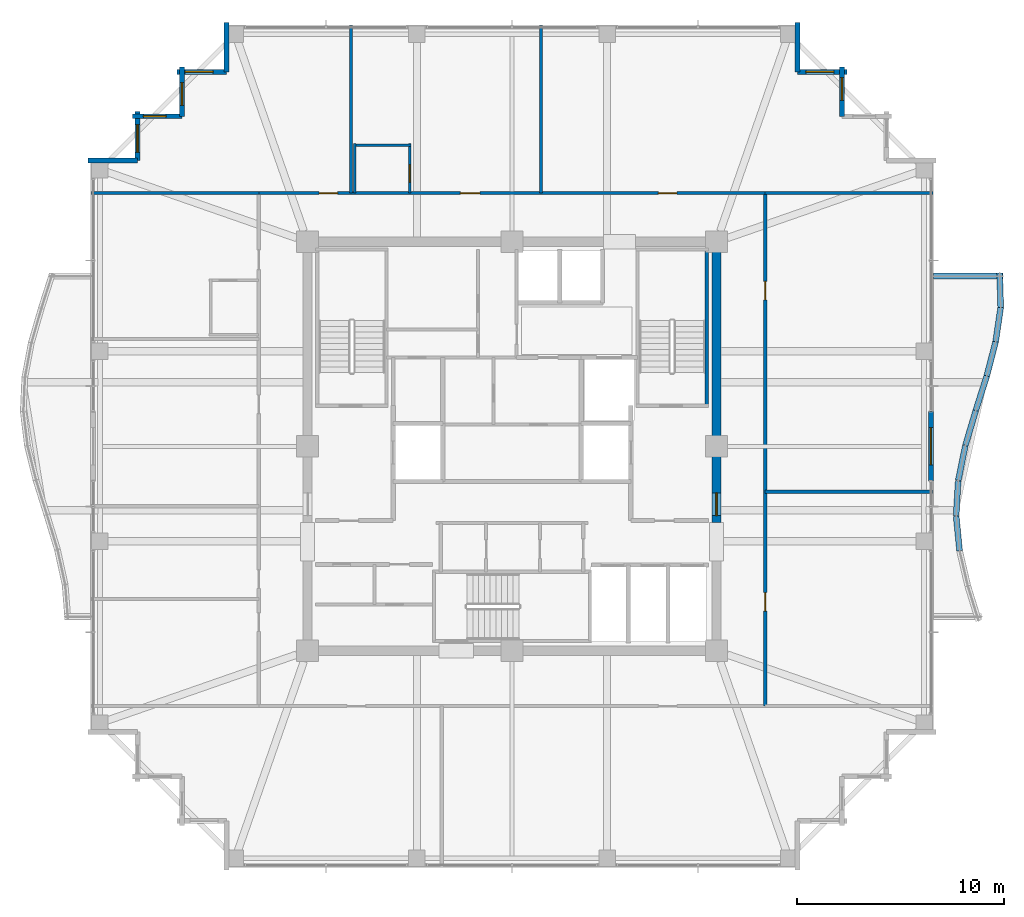
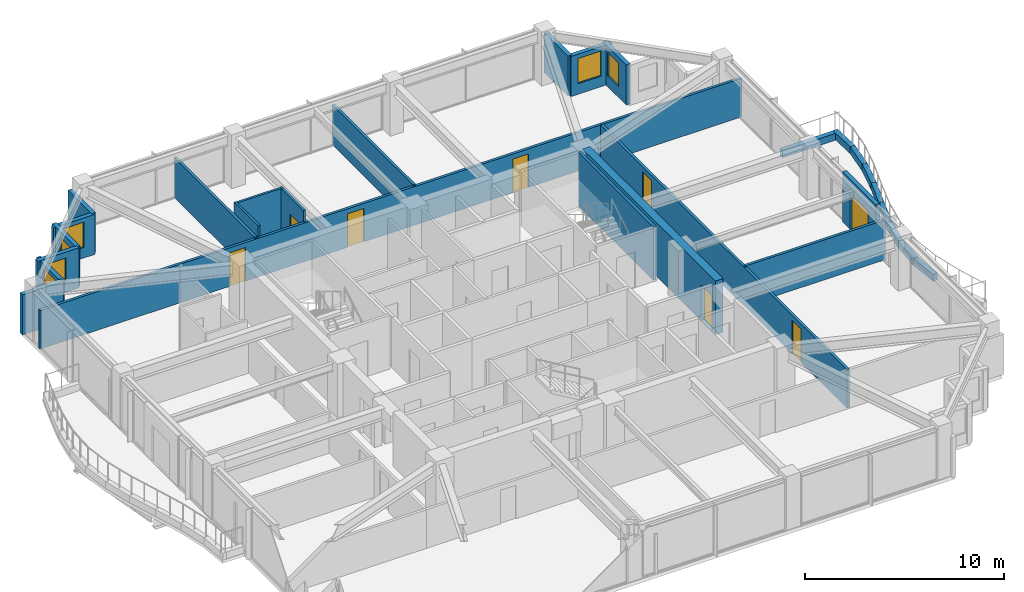
# One storey, part 31 of 34: 31 walls, 8 doors, 6 windows, 14 openings.
"""IFC4 building model written with IfcOpenShell, lengths in metres."""

from ifc_helpers import new_model, si_unit, direction, frame, frame_2d, origin, place, context, subcontext, project, spatial, rectangle, extrude, material, layer, layer_set, type_object, element, fill, save


model = new_model("IFC4")

# Units and contexts
model_context = context("Model", 3, precision=1e-05, world=origin(), true_north=direction((0.0, 1.0)))
body_context = subcontext(model_context, "Body", "Model", "MODEL_VIEW")
ifc_project = project(units=[si_unit("LENGTHUNIT", "METRE"), si_unit("AREAUNIT", "SQUARE_METRE"), si_unit("VOLUMEUNIT", "CUBIC_METRE"), si_unit("PLANEANGLEUNIT", "RADIAN"), si_unit("MASSUNIT", "GRAM", prefix="KILO")], contexts=[model_context])

# Site, building, storey
site_placement = place(None, origin())
site = spatial("IfcSite", under=ifc_project, at=site_placement, CompositionType="ELEMENT")
building_placement = place(site_placement, origin())
building = spatial("IfcBuilding", under=site, at=building_placement, Name="Kolvaren Belvedere", CompositionType="ELEMENT")
storey_placement = place(building_placement, frame((0.0, 0.0, 222.89990234375)))
storey = spatial("IfcBuildingStorey", under=building, at=storey_placement, Name="L65", CompositionType="ELEMENT", Elevation=222.89990234375)

# Wall, opening, door
ifc_material_1 = material(Name="Concrete C50/60", Category="concrete")
ifc_layer_1 = layer(ifc_material_1, 0.449951171875)
ifc_layer_set_1 = layer_set([ifc_layer_1], Name="Concrete C50/60")
wall_type_1 = type_object("IfcWallType", Name="CW-CORE-450", PredefinedType="SHEAR", material=ifc_layer_set_1)
wall_1_placement = place(storey_placement, frame((9.89990234375, -3.699951171875, 0.0), z_axis=(0.0, 0.0, 1.0), x_axis=(0.0, 1.0, 0.0)))
wall_1 = element("IfcWall", 1, at=wall_1_placement, inside=storey, type_object=wall_type_1, Name="L65 East Core Shear Wall 2", PredefinedType="SHEAR", context=body_context, shape_type="SweptSolid", body=[
    extrude(rectangle(XDim=13.375, YDim=0.449951171875, at=frame_2d((6.6875, 0.0))), origin(), (0.0, 0.0, 1.0), 3.300048828125),
])
opening_1_placement = place(wall_1_placement, frame((0.35009765625, 0.0, 0.0)))
opening_1 = element("IfcOpeningElement", 2, at=opening_1_placement, cuts=wall_1, Name="Opening D-FD90", PredefinedType="OPENING", context=body_context, shape_type="SweptSolid", body=[
    extrude(rectangle(XDim=1.10009765625, YDim=2.199951171875, at=frame_2d((0.550048828125, 1.10009765625))), frame((0.0, 0.23486328125, 0.0), z_axis=(0.0, -1.0, 0.0), x_axis=(1.0, 0.0, 0.0)), (0.0, 0.0, 1.0), 0.469970703125),
])
ifc_material_2 = material(Name="Painted hollow stainless steel", Category="steel")
door_type_1 = type_object("IfcDoorType", Name="DR-FD90-1100", OperationType="NOTDEFINED", PredefinedType="DOOR", material=ifc_material_2)
door_1_placement = place(opening_1_placement, origin())
door_1 = element("IfcDoor", 3, at=door_1_placement, inside=storey, type_object=door_type_1, Name="L65 East Firefighting Lobby Fire Door", OperationType="SINGLE_SWING_RIGHT", OverallHeight=2.199951171875, OverallWidth=1.10009765625, PredefinedType="DOOR", context=body_context, shape_type="SweptSolid", body=[
    extrude(rectangle(XDim=1.10009765625, YDim=2.199951171875, at=frame_2d((0.550048828125, 1.10009765625))), frame((0.0, 0.02490234375, 0.0), z_axis=(0.0, -1.0, 0.0), x_axis=(1.0, 0.0, 0.0)), (0.0, 0.0, 1.0), 0.050048828125),
])
fill(opening_1, door_1)

# Wall
ifc_material_3 = material(Name="Concrete C50/60", Category="concrete")
ifc_layer_2 = layer(ifc_material_3, 0.159912109375)
ifc_layer_set_2 = layer_set([ifc_layer_2], Name="Concrete C50/60")
wall_type_2 = type_object("IfcWallType", Name="CW-STAIR-160", PredefinedType="SHEAR", material=ifc_layer_set_2)
wall_2_placement = place(storey_placement, frame((9.429931640625, 1.969970703125, 0.0), z_axis=(0.0, 0.0, 1.0), x_axis=(0.0, 1.0, 0.0)))
element("IfcWall", 4, at=wall_2_placement, inside=storey, type_object=wall_type_2, Name="L65 Stair ST-2 East Shear Wall", PredefinedType="SHEAR", context=body_context, shape_type="SweptSolid", body=[
    extrude(rectangle(XDim=7.56005859375, YDim=0.159912109375, at=frame_2d((3.780029296875, 0.0))), origin(), (0.0, 0.0, 1.0), 3.300048828125),
])

# Wall, openings, doors
ifc_material_4 = material(Name="Gypsum fire-rated partition assembly", Category="gypsum")
ifc_layer_3 = layer(ifc_material_4, 0.14990234375)
ifc_layer_set_3 = layer_set([ifc_layer_3], Name="Gypsum fire-rated partition assembly")
wall_type_3 = type_object("IfcWallType", Name="WL-CORR-150", PredefinedType="PARTITIONING", material=ifc_layer_set_3)
wall_3_placement = place(storey_placement, frame((-12.260009765625, 12.260009765625, 0.0), z_axis=(0.0, 0.0, 1.0), x_axis=(1.0, 0.0, 0.0)))
wall_3 = element("IfcWall", 5, at=wall_3_placement, inside=storey, type_object=wall_type_3, Name="L65 North Corridor Wall", PredefinedType="PARTITIONING", context=body_context, shape_type="SweptSolid", body=[
    extrude(rectangle(XDim=24.52001953125, YDim=0.14990234375, at=frame_2d((12.260009765625, 0.0))), origin(), (0.0, 0.0, 1.0), 2.369140625),
])
opening_2_placement = place(wall_3_placement, frame((2.916015625, 0.0, 0.0)))
opening_2 = element("IfcOpeningElement", 6, at=opening_2_placement, cuts=wall_3, Name="Opening D-INT90", PredefinedType="OPENING", context=body_context, shape_type="SweptSolid", body=[
    extrude(rectangle(XDim=0.89990234375, YDim=2.06005859375, at=frame_2d((0.449951171875, 1.030029296875))), frame((0.0, 0.0849609375, 0.0), z_axis=(0.0, -1.0, 0.0), x_axis=(1.0, 0.0, 0.0)), (0.0, 0.0, 1.0), 0.169921875),
])
opening_3_placement = place(wall_3_placement, frame((9.7548828125, 0.0, 0.0)))
opening_3 = element("IfcOpeningElement", 7, at=opening_3_placement, cuts=wall_3, Name="Opening D-FD60", PredefinedType="OPENING", context=body_context, shape_type="SweptSolid", body=[
    extrude(rectangle(XDim=0.949951171875, YDim=2.06005859375, at=frame_2d((0.47509765625, 1.030029296875))), frame((0.0, 0.0849609375, 0.0), z_axis=(0.0, -1.0, 0.0), x_axis=(1.0, 0.0, 0.0)), (0.0, 0.0, 1.0), 0.169921875),
])
opening_4_placement = place(wall_3_placement, frame((19.344970703125, 0.0, 0.0)))
opening_4 = element("IfcOpeningElement", 8, at=opening_4_placement, cuts=wall_3, Name="Opening D-INT90", PredefinedType="OPENING", context=body_context, shape_type="SweptSolid", body=[
    extrude(rectangle(XDim=0.89990234375, YDim=2.06005859375, at=frame_2d((0.449951171875, 1.030029296875))), frame((0.0, 0.0849609375, 0.0), z_axis=(0.0, -1.0, 0.0), x_axis=(1.0, 0.0, 0.0)), (0.0, 0.0, 1.0), 0.169921875),
])
ifc_material_5 = material(Name="Acoustic white-oak fire door leaf", Category="timber")
door_type_2 = type_object("IfcDoorType", Name="DR-FD60-950", OperationType="NOTDEFINED", PredefinedType="DOOR", material=ifc_material_5)
door_2_placement = place(opening_3_placement, origin())
door_2 = element("IfcDoor", 9, at=door_2_placement, inside=storey, type_object=door_type_2, Name="L65 King Guest Room 6510 Entry Door", OperationType="SINGLE_SWING_LEFT", OverallHeight=2.06005859375, OverallWidth=0.949951171875, PredefinedType="DOOR", context=body_context, shape_type="SweptSolid", body=[
    extrude(rectangle(XDim=0.949951171875, YDim=2.06005859375, at=frame_2d((0.47509765625, 1.030029296875))), frame((0.0, 0.02490234375, 0.0), z_axis=(0.0, -1.0, 0.0), x_axis=(1.0, 0.0, 0.0)), (0.0, 0.0, 1.0), 0.050048828125),
])
fill(opening_3, door_2)
ifc_material_6 = material(Name="Stained Pacific white oak", Category="timber")
door_type_3 = type_object("IfcDoorType", Name="DR-INT-900", OperationType="NOTDEFINED", PredefinedType="DOOR", material=ifc_material_6)
door_3_placement = place(opening_2_placement, origin())
door_3 = element("IfcDoor", 10, at=door_3_placement, inside=storey, type_object=door_type_3, Name="L65 Lounge 6509 Door", OperationType="SINGLE_SWING_LEFT", OverallHeight=2.06005859375, OverallWidth=0.89990234375, PredefinedType="DOOR", context=body_context, shape_type="SweptSolid", body=[
    extrude(rectangle(XDim=0.89990234375, YDim=2.06005859375, at=frame_2d((0.449951171875, 1.030029296875))), frame((0.0, 0.02490234375, 0.0), z_axis=(0.0, -1.0, 0.0), x_axis=(1.0, 0.0, 0.0)), (0.0, 0.0, 1.0), 0.050048828125),
])
fill(opening_2, door_3)
door_4_placement = place(opening_4_placement, origin())
door_4 = element("IfcDoor", 11, at=door_4_placement, inside=storey, type_object=door_type_3, Name="L65 Lounge 6511 Door", OperationType="SINGLE_SWING_RIGHT", OverallHeight=2.06005859375, OverallWidth=0.89990234375, PredefinedType="DOOR", context=body_context, shape_type="SweptSolid", body=[
    extrude(rectangle(XDim=0.89990234375, YDim=2.06005859375, at=frame_2d((0.449951171875, 1.030029296875))), frame((0.0, 0.02490234375, 0.0), z_axis=(0.0, -1.0, 0.0), x_axis=(1.0, 0.0, 0.0)), (0.0, 0.0, 1.0), 0.050048828125),
])
fill(opening_4, door_4)

wall_4_placement = place(storey_placement, frame((12.260009765625, -12.580078125, 0.0), z_axis=(0.0, 0.0, 1.0), x_axis=(0.0, 1.0, 0.0)))
wall_4 = element("IfcWall", 12, at=wall_4_placement, inside=storey, type_object=wall_type_3, Name="L65 East Corridor Wall", PredefinedType="PARTITIONING", context=body_context, shape_type="SweptSolid", body=[
    extrude(rectangle(XDim=24.840087890625, YDim=0.14990234375, at=frame_2d((12.419921875, 0.0))), origin(), (0.0, 0.0, 1.0), 2.369140625),
])
opening_5_placement = place(wall_4_placement, frame((4.594970703125, 0.0, 0.0)))
opening_5 = element("IfcOpeningElement", 13, at=opening_5_placement, cuts=wall_4, Name="Opening D-INT90", PredefinedType="OPENING", context=body_context, shape_type="SweptSolid", body=[
    extrude(rectangle(XDim=0.89990234375, YDim=2.06005859375, at=frame_2d((0.449951171875, 1.030029296875))), frame((0.0, 0.0849609375, 0.0), z_axis=(0.0, -1.0, 0.0), x_axis=(1.0, 0.0, 0.0)), (0.0, 0.0, 1.0), 0.169921875),
])
opening_6_placement = place(wall_4_placement, frame((19.6650390625, 0.0, 0.0)))
opening_6 = element("IfcOpeningElement", 14, at=opening_6_placement, cuts=wall_4, Name="Opening D-INT90", PredefinedType="OPENING", context=body_context, shape_type="SweptSolid", body=[
    extrude(rectangle(XDim=0.89990234375, YDim=2.06005859375, at=frame_2d((0.449951171875, 1.030029296875))), frame((0.0, 0.0849609375, 0.0), z_axis=(0.0, -1.0, 0.0), x_axis=(1.0, 0.0, 0.0)), (0.0, 0.0, 1.0), 0.169921875),
])
door_5_placement = place(opening_5_placement, origin())
door_5 = element("IfcDoor", 15, at=door_5_placement, inside=storey, type_object=door_type_3, Name="L65 Guest Tea & Espresso Kitchen 6503 Door", OperationType="SINGLE_SWING_RIGHT", OverallHeight=2.06005859375, OverallWidth=0.89990234375, PredefinedType="DOOR", context=body_context, shape_type="SweptSolid", body=[
    extrude(rectangle(XDim=0.89990234375, YDim=2.06005859375, at=frame_2d((0.449951171875, 1.030029296875))), frame((0.0, 0.02490234375, 0.0), z_axis=(0.0, -1.0, 0.0), x_axis=(1.0, 0.0, 0.0)), (0.0, 0.0, 1.0), 0.050048828125),
])
fill(opening_5, door_5)
door_6_placement = place(opening_6_placement, origin())
door_6 = element("IfcDoor", 16, at=door_6_placement, inside=storey, type_object=door_type_3, Name="L65 Lounge 6504 Door", OperationType="SINGLE_SWING_LEFT", OverallHeight=2.06005859375, OverallWidth=0.89990234375, PredefinedType="DOOR", context=body_context, shape_type="SweptSolid", body=[
    extrude(rectangle(XDim=0.89990234375, YDim=2.06005859375, at=frame_2d((0.449951171875, 1.030029296875))), frame((0.0, 0.02490234375, 0.0), z_axis=(0.0, -1.0, 0.0), x_axis=(1.0, 0.0, 0.0)), (0.0, 0.0, 1.0), 0.050048828125),
])
fill(opening_6, door_6)

# Wall, opening, door
ifc_material_7 = material(Name="Insulated pale-metal facade wall assembly", Category="aluminium")
ifc_layer_4 = layer(ifc_material_7, 0.239990234375)
ifc_layer_set_4 = layer_set([ifc_layer_4], Name="Insulated pale-metal facade wall assembly")
wall_type_4 = type_object("IfcWallType", Name="WL-EXT-240", PredefinedType="STANDARD", material=ifc_layer_set_4)
wall_5_placement = place(storey_placement, frame((20.280029296875, 1.679931640625, 0.0), z_axis=(0.0, 0.0, 1.0), x_axis=(0.0, -1.0, 0.0)))
wall_5 = element("IfcWall", 17, at=wall_5_placement, inside=storey, type_object=wall_type_4, Name="L65 East Terrace Portal Wall", PredefinedType="STANDARD", context=body_context, shape_type="SweptSolid", body=[
    extrude(rectangle(XDim=3.35986328125, YDim=0.239990234375, at=frame_2d((1.679931640625, 0.0))), origin(), (0.0, 0.0, 1.0), 3.080078125),
])
opening_7_placement = place(wall_5_placement, frame((0.780029296875, 0.0, 0.0)))
opening_7 = element("IfcOpeningElement", 18, at=opening_7_placement, cuts=wall_5, Name="Opening DB-1800", PredefinedType="OPENING", context=body_context, shape_type="SweptSolid", body=[
    extrude(rectangle(XDim=1.800048828125, YDim=2.199951171875, at=frame_2d((0.89990234375, 1.10009765625))), frame((0.0, 0.1298828125, 0.0), z_axis=(0.0, -1.0, 0.0), x_axis=(1.0, 0.0, 0.0)), (0.0, 0.0, 1.0), 0.260009765625),
])
ifc_material_8 = material(Name="Thermally broken pale-metal aluminium & low-iron glass", Category="aluminium")
door_type_4 = type_object("IfcDoorType", Name="DR-BAL-1800", OperationType="DOUBLE_DOOR_SLIDING", PredefinedType="DOOR", material=ifc_material_8)
door_7_placement = place(opening_7_placement, origin())
door_7 = element("IfcDoor", 19, at=door_7_placement, inside=storey, type_object=door_type_4, Name="L65 East Planted Terrace Sliding Door", OperationType="DOUBLE_DOOR_SLIDING", OverallHeight=2.199951171875, OverallWidth=1.800048828125, PredefinedType="DOOR", context=body_context, shape_type="SweptSolid", body=[
    extrude(rectangle(XDim=1.800048828125, YDim=2.199951171875, at=frame_2d((0.89990234375, 1.10009765625))), frame((0.0, 0.02490234375, 0.0), z_axis=(0.0, -1.0, 0.0), x_axis=(1.0, 0.0, 0.0)), (0.0, 0.0, 1.0), 0.050048828125),
])
fill(opening_7, door_7)

# Wall, opening, window
wall_6_placement = place(storey_placement, frame((15.97998046875, 18.3701171875, 0.0), z_axis=(0.0, 0.0, 1.0), x_axis=(0.0, -1.0, 0.0)))
wall_6 = element("IfcWall", 20, at=wall_6_placement, inside=storey, type_object=wall_type_4, Name="L65 Serrated Corner Facade Wall 12", PredefinedType="STANDARD", context=body_context, shape_type="SweptSolid", body=[
    extrude(rectangle(XDim=2.39013671875, YDim=0.239990234375, at=frame_2d((1.195068359375, 0.0))), origin(), (0.0, 0.0, 1.0), 2.463134765625),
])
opening_8_placement = place(wall_6_placement, frame((0.52490234375, 0.0, 0.64990234375)))
opening_8 = element("IfcOpeningElement", 21, at=opening_8_placement, cuts=wall_6, Name="Opening W-1100", PredefinedType="OPENING", context=body_context, shape_type="SweptSolid", body=[
    extrude(rectangle(XDim=1.10009765625, YDim=1.449951171875, at=frame_2d((0.550048828125, 0.72509765625))), frame((0.0, 0.1298828125, 0.0), z_axis=(0.0, -1.0, 0.0), x_axis=(1.0, 0.0, 0.0)), (0.0, 0.0, 1.0), 0.260009765625),
])
ifc_material_9 = material(Name="Low-iron triple insulated glass", Category="glass")
window_type_1 = type_object("IfcWindowType", Name="WN-CORN-1100", PartitioningType="SINGLE_PANEL", PredefinedType="WINDOW", material=ifc_material_9)
window_1_placement = place(opening_8_placement, origin())
window_1 = element("IfcWindow", 22, at=window_1_placement, inside=storey, type_object=window_type_1, Name="L65 Serrated Corner Vision Window 12", OverallHeight=1.449951171875, OverallWidth=1.10009765625, PartitioningType="SINGLE_PANEL", PredefinedType="WINDOW", context=body_context, shape_type="SweptSolid", body=[
    extrude(rectangle(XDim=1.10009765625, YDim=1.449951171875, at=frame_2d((0.550048828125, 0.72509765625))), frame((0.0, 0.030029296875, 0.0), z_axis=(0.0, -1.0, 0.0), x_axis=(1.0, 0.0, 0.0)), (0.0, 0.0, 1.0), 0.06005859375),
])
fill(opening_8, window_1)

wall_7_placement = place(storey_placement, frame((13.830078125, 18.1298828125, 0.0), z_axis=(0.0, 0.0, 1.0), x_axis=(1.0, 0.0, 0.0)))
wall_7 = element("IfcWall", 23, at=wall_7_placement, inside=storey, type_object=wall_type_4, Name="L65 Serrated Corner Facade Wall 13", PredefinedType="STANDARD", context=body_context, shape_type="SweptSolid", body=[
    extrude(rectangle(XDim=2.389892578125, YDim=0.239990234375, at=frame_2d((1.19482421875, 0.0))), origin(), (0.0, 0.0, 1.0), 2.463134765625),
])
opening_9_placement = place(wall_7_placement, frame((0.39990234375, 0.0, 0.64990234375)))
opening_9 = element("IfcOpeningElement", 24, at=opening_9_placement, cuts=wall_7, Name="Opening W-1350", PredefinedType="OPENING", context=body_context, shape_type="SweptSolid", body=[
    extrude(rectangle(XDim=1.35009765625, YDim=1.550048828125, at=frame_2d((0.675048828125, 0.77490234375))), frame((0.0, 0.1298828125, 0.0), z_axis=(0.0, -1.0, 0.0), x_axis=(1.0, 0.0, 0.0)), (0.0, 0.0, 1.0), 0.260009765625),
])
ifc_material_10 = material(Name="Low-iron triple insulated glass", Category="glass")
window_type_2 = type_object("IfcWindowType", Name="WN-CORN-1350", PartitioningType="SINGLE_PANEL", PredefinedType="WINDOW", material=ifc_material_10)
window_2_placement = place(opening_9_placement, origin())
window_2 = element("IfcWindow", 25, at=window_2_placement, inside=storey, type_object=window_type_2, Name="L65 Serrated Corner Vision Window 13", OverallHeight=1.550048828125, OverallWidth=1.35009765625, PartitioningType="SINGLE_PANEL", PredefinedType="WINDOW", context=body_context, shape_type="SweptSolid", body=[
    extrude(rectangle(XDim=1.35009765625, YDim=1.550048828125, at=frame_2d((0.675048828125, 0.77490234375))), frame((0.0, 0.030029296875, 0.0), z_axis=(0.0, -1.0, 0.0), x_axis=(1.0, 0.0, 0.0)), (0.0, 0.0, 1.0), 0.06005859375),
])
fill(opening_9, window_2)

# Walls
for number, where, z_axis, x_axis, name in (
    (26, (13.830078125, 20.52001953125, 0.0), (0.0, 0.0, 1.0), (0.0, -1.0, 0.0), "L65 Serrated Corner Facade Wall 14"),
    (27, (-13.830078125, 18.1298828125, 0.0), (0.0, 0.0, 1.0), (0.0, 1.0, 0.0), "L65 Serrated Corner Facade Wall 16"),
):
    element("IfcWall", number, at=place(storey_placement, frame(where, z_axis=z_axis, x_axis=x_axis)), inside=storey, type_object=wall_type_4, Name=name, PredefinedType="STANDARD", context=body_context, shape_type="SweptSolid", body=[
        extrude(rectangle(XDim=2.39013671875, YDim=0.239990234375, at=frame_2d((1.195068359375, 0.0))), origin(), (0.0, 0.0, 1.0), 2.463134765625),
    ])

# Wall, opening, window
wall_8_placement = place(storey_placement, frame((-16.219970703125, 18.1298828125, 0.0), z_axis=(0.0, 0.0, 1.0), x_axis=(1.0, 0.0, 0.0)))
wall_8 = element("IfcWall", 28, at=wall_8_placement, inside=storey, type_object=wall_type_4, Name="L65 Serrated Corner Facade Wall 17", PredefinedType="STANDARD", context=body_context, shape_type="SweptSolid", body=[
    extrude(rectangle(XDim=2.389892578125, YDim=0.239990234375, at=frame_2d((1.19482421875, 0.0))), origin(), (0.0, 0.0, 1.0), 2.463134765625),
])
opening_10_placement = place(wall_8_placement, frame((0.39990234375, 0.0, 0.64990234375)))
opening_10 = element("IfcOpeningElement", 29, at=opening_10_placement, cuts=wall_8, Name="Opening W-1350", PredefinedType="OPENING", context=body_context, shape_type="SweptSolid", body=[
    extrude(rectangle(XDim=1.35009765625, YDim=1.550048828125, at=frame_2d((0.675048828125, 0.77490234375))), frame((0.0, 0.1298828125, 0.0), z_axis=(0.0, -1.0, 0.0), x_axis=(1.0, 0.0, 0.0)), (0.0, 0.0, 1.0), 0.260009765625),
])
window_3_placement = place(opening_10_placement, origin())
window_3 = element("IfcWindow", 30, at=window_3_placement, inside=storey, type_object=window_type_2, Name="L65 Serrated Corner Vision Window 17", OverallHeight=1.550048828125, OverallWidth=1.35009765625, PartitioningType="SINGLE_PANEL", PredefinedType="WINDOW", context=body_context, shape_type="SweptSolid", body=[
    extrude(rectangle(XDim=1.35009765625, YDim=1.550048828125, at=frame_2d((0.675048828125, 0.77490234375))), frame((0.0, 0.030029296875, 0.0), z_axis=(0.0, -1.0, 0.0), x_axis=(1.0, 0.0, 0.0)), (0.0, 0.0, 1.0), 0.06005859375),
])
fill(opening_10, window_3)

wall_9_placement = place(storey_placement, frame((-15.97998046875, 15.97998046875, 0.0), z_axis=(0.0, 0.0, 1.0), x_axis=(0.0, 1.0, 0.0)))
wall_9 = element("IfcWall", 31, at=wall_9_placement, inside=storey, type_object=wall_type_4, Name="L65 Serrated Corner Facade Wall 18", PredefinedType="STANDARD", context=body_context, shape_type="SweptSolid", body=[
    extrude(rectangle(XDim=2.39013671875, YDim=0.239990234375, at=frame_2d((1.195068359375, 0.0))), origin(), (0.0, 0.0, 1.0), 2.463134765625),
])
opening_11_placement = place(wall_9_placement, frame((0.52490234375, 0.0, 0.64990234375)))
opening_11 = element("IfcOpeningElement", 32, at=opening_11_placement, cuts=wall_9, Name="Opening W-1100", PredefinedType="OPENING", context=body_context, shape_type="SweptSolid", body=[
    extrude(rectangle(XDim=1.10009765625, YDim=1.449951171875, at=frame_2d((0.550048828125, 0.72509765625))), frame((0.0, 0.1298828125, 0.0), z_axis=(0.0, -1.0, 0.0), x_axis=(1.0, 0.0, 0.0)), (0.0, 0.0, 1.0), 0.260009765625),
])
window_4_placement = place(opening_11_placement, origin())
window_4 = element("IfcWindow", 33, at=window_4_placement, inside=storey, type_object=window_type_1, Name="L65 Serrated Corner Vision Window 18", OverallHeight=1.449951171875, OverallWidth=1.10009765625, PartitioningType="SINGLE_PANEL", PredefinedType="WINDOW", context=body_context, shape_type="SweptSolid", body=[
    extrude(rectangle(XDim=1.10009765625, YDim=1.449951171875, at=frame_2d((0.550048828125, 0.72509765625))), frame((0.0, 0.030029296875, 0.0), z_axis=(0.0, -1.0, 0.0), x_axis=(1.0, 0.0, 0.0)), (0.0, 0.0, 1.0), 0.06005859375),
])
fill(opening_11, window_4)

wall_10_placement = place(storey_placement, frame((-18.3701171875, 15.97998046875, 0.0), z_axis=(0.0, 0.0, 1.0), x_axis=(1.0, 0.0, 0.0)))
wall_10 = element("IfcWall", 34, at=wall_10_placement, inside=storey, type_object=wall_type_4, Name="L65 Serrated Corner Facade Wall 19", PredefinedType="STANDARD", context=body_context, shape_type="SweptSolid", body=[
    extrude(rectangle(XDim=2.39013671875, YDim=0.239990234375, at=frame_2d((1.195068359375, 0.0))), origin(), (0.0, 0.0, 1.0), 2.463134765625),
])
opening_12_placement = place(wall_10_placement, frame((0.52490234375, 0.0, 0.64990234375)))
opening_12 = element("IfcOpeningElement", 35, at=opening_12_placement, cuts=wall_10, Name="Opening W-1100", PredefinedType="OPENING", context=body_context, shape_type="SweptSolid", body=[
    extrude(rectangle(XDim=1.10009765625, YDim=1.449951171875, at=frame_2d((0.550048828125, 0.72509765625))), frame((0.0, 0.1298828125, 0.0), z_axis=(0.0, -1.0, 0.0), x_axis=(1.0, 0.0, 0.0)), (0.0, 0.0, 1.0), 0.260009765625),
])
window_5_placement = place(opening_12_placement, origin())
window_5 = element("IfcWindow", 36, at=window_5_placement, inside=storey, type_object=window_type_1, Name="L65 Serrated Corner Vision Window 19", OverallHeight=1.449951171875, OverallWidth=1.10009765625, PartitioningType="SINGLE_PANEL", PredefinedType="WINDOW", context=body_context, shape_type="SweptSolid", body=[
    extrude(rectangle(XDim=1.10009765625, YDim=1.449951171875, at=frame_2d((0.550048828125, 0.72509765625))), frame((0.0, 0.030029296875, 0.0), z_axis=(0.0, -1.0, 0.0), x_axis=(1.0, 0.0, 0.0)), (0.0, 0.0, 1.0), 0.06005859375),
])
fill(opening_12, window_5)

wall_11_placement = place(storey_placement, frame((-18.1298828125, 13.830078125, 0.0), z_axis=(0.0, 0.0, 1.0), x_axis=(0.0, 1.0, 0.0)))
wall_11 = element("IfcWall", 37, at=wall_11_placement, inside=storey, type_object=wall_type_4, Name="L65 Serrated Corner Facade Wall 20", PredefinedType="STANDARD", context=body_context, shape_type="SweptSolid", body=[
    extrude(rectangle(XDim=2.389892578125, YDim=0.239990234375, at=frame_2d((1.19482421875, 0.0))), origin(), (0.0, 0.0, 1.0), 2.463134765625),
])
opening_13_placement = place(wall_11_placement, frame((0.39990234375, 0.0, 0.64990234375)))
opening_13 = element("IfcOpeningElement", 38, at=opening_13_placement, cuts=wall_11, Name="Opening W-1350", PredefinedType="OPENING", context=body_context, shape_type="SweptSolid", body=[
    extrude(rectangle(XDim=1.35009765625, YDim=1.550048828125, at=frame_2d((0.675048828125, 0.77490234375))), frame((0.0, 0.1298828125, 0.0), z_axis=(0.0, -1.0, 0.0), x_axis=(1.0, 0.0, 0.0)), (0.0, 0.0, 1.0), 0.260009765625),
])
window_6_placement = place(opening_13_placement, origin())
window_6 = element("IfcWindow", 39, at=window_6_placement, inside=storey, type_object=window_type_2, Name="L65 Serrated Corner Vision Window 20", OverallHeight=1.550048828125, OverallWidth=1.35009765625, PartitioningType="SINGLE_PANEL", PredefinedType="WINDOW", context=body_context, shape_type="SweptSolid", body=[
    extrude(rectangle(XDim=1.35009765625, YDim=1.550048828125, at=frame_2d((0.675048828125, 0.77490234375))), frame((0.0, 0.030029296875, 0.0), z_axis=(0.0, -1.0, 0.0), x_axis=(1.0, 0.0, 0.0)), (0.0, 0.0, 1.0), 0.06005859375),
])
fill(opening_13, window_6)

# Walls
wall_12_placement = place(storey_placement, frame((-20.52001953125, 13.830078125, 0.0), z_axis=(0.0, 0.0, 1.0), x_axis=(1.0, 0.0, 0.0)))
element("IfcWall", 40, at=wall_12_placement, inside=storey, type_object=wall_type_4, Name="L65 Serrated Corner Facade Wall 21", PredefinedType="STANDARD", context=body_context, shape_type="SweptSolid", body=[
    extrude(rectangle(XDim=2.39013671875, YDim=0.239990234375, at=frame_2d((1.195068359375, 0.0))), origin(), (0.0, 0.0, 1.0), 2.463134765625),
])
ifc_material_11 = material(Name="Gypsum acoustic partition assembly", Category="gypsum")
ifc_layer_5 = layer(ifc_material_11, 0.14990234375)
ifc_layer_set_5 = layer_set([ifc_layer_5], Name="Gypsum acoustic partition assembly")
wall_type_5 = type_object("IfcWallType", Name="WL-PART-150", PredefinedType="PARTITIONING", material=ifc_layer_set_5)
for number, where, z_axis, x_axis, name in (
    (41, (-20.3798828125, 12.260009765625, 0.0), (0.0, 0.0, 1.0), (1.0, 0.0, 0.0), "L65 Wing Divider PW-L65-QNW"),
    (42, (12.260009765625, 12.260009765625, 0.0), (0.0, 0.0, 1.0), (1.0, 0.0, 0.0), "L65 Wing Divider PW-L65-QNE"),
):
    element("IfcWall", number, at=place(storey_placement, frame(where, z_axis=z_axis, x_axis=x_axis)), inside=storey, type_object=wall_type_5, Name=name, PredefinedType="PARTITIONING", context=body_context, shape_type="SweptSolid", body=[
        extrude(rectangle(XDim=8.119873046875, YDim=0.14990234375, at=frame_2d((4.06005859375, 0.0))), origin(), (0.0, 0.0, 1.0), 2.369140625),
    ])
for number, where, z_axis, x_axis, name in (
    (43, (12.260009765625, -2.199951171875, 0.0), (0.0, 0.0, 1.0), (1.0, 0.0, 0.0), "L65 East Suite Demising Wall 1"),
    (44, (-7.800048828125, 12.260009765625, 0.0), (0.0, 0.0, 1.0), (0.0, 1.0, 0.0), "L65 North Suite Demising Wall 1"),
    (45, (1.39990234375, 12.260009765625, 0.0), (0.0, 0.0, 1.0), (0.0, 1.0, 0.0), "L65 North Suite Demising Wall 2"),
):
    element("IfcWall", number, at=place(storey_placement, frame(where, z_axis=z_axis, x_axis=x_axis)), inside=storey, type_object=wall_type_5, Name=name, PredefinedType="PARTITIONING", context=body_context, shape_type="SweptSolid", body=[
        extrude(rectangle(XDim=8.119873046875, YDim=0.14990234375, at=frame_2d((4.06005859375, 0.0))), origin(), (0.0, 0.0, 1.0), 2.453125),
    ])
ifc_material_12 = material(Name="Precast concrete C40/50", Category="concrete")
ifc_layer_6 = layer(ifc_material_12, 0.300048828125)
ifc_layer_set_6 = layer_set([ifc_layer_6], Name="Precast concrete C40/50")
wall_type_6 = type_object("IfcWallType", Name="WL-PLANTER-300", PredefinedType="PARAPET", material=ifc_layer_set_6)
wall_13_placement = place(storey_placement, frame((21.6689453125, -5.0556640625, -0.039794921875), z_axis=(0.0, 0.0, 1.0), x_axis=(-0.098343801694, 0.995152499202, 0.0)))
element("IfcWall", 46, at=wall_13_placement, inside=storey, type_object=wall_type_6, Name="L65 Precast Structural Planter Wall BAL-E-3", PredefinedType="PARAPET", context=body_context, shape_type="SweptSolid", body=[
    extrude(rectangle(XDim=1.688232421875, YDim=0.280029296875, at=frame_2d((0.84423828125, 0.0))), origin(), (0.0, 0.0, 1.0), 0.419921875),
])
wall_14_placement = place(storey_placement, frame((21.50244140625, -3.350341796875, -0.039794921875), z_axis=(0.0, 0.0, 1.0), x_axis=(0.059767979379, 0.998212296378, 0.0)))
element("IfcWall", 47, at=wall_14_placement, inside=storey, type_object=wall_type_6, Name="L65 Precast Structural Planter Wall BAL-E-4", PredefinedType="PARAPET", context=body_context, shape_type="SweptSolid", body=[
    extrude(rectangle(XDim=1.682861328125, YDim=0.280029296875, at=frame_2d((0.84130859375, 0.0))), origin(), (0.0, 0.0, 1.0), 0.419921875),
])
wall_15_placement = place(storey_placement, frame((21.60595703125, -1.64794921875, -0.039794921875), z_axis=(0.0, 0.0, 1.0), x_axis=(0.199784246163, 0.979839912937, 0.0)))
element("IfcWall", 48, at=wall_15_placement, inside=storey, type_object=wall_type_6, Name="L65 Precast Structural Planter Wall BAL-E-5", PredefinedType="PARAPET", context=body_context, shape_type="SweptSolid", body=[
    extrude(rectangle(XDim=1.714599609375, YDim=0.280029296875, at=frame_2d((0.857421875, 0.0))), origin(), (0.0, 0.0, 1.0), 0.419921875),
])
wall_16_placement = place(storey_placement, frame((21.951904296875, 0.045654296875, -0.039794921875), z_axis=(0.0, 0.0, 1.0), x_axis=(0.284880325779, 0.95856309129, 0.0)))
element("IfcWall", 49, at=wall_16_placement, inside=storey, type_object=wall_type_6, Name="L65 Precast Structural Planter Wall BAL-E-6", PredefinedType="PARAPET", context=body_context, shape_type="SweptSolid", body=[
    extrude(rectangle(XDim=1.75244140625, YDim=0.280029296875, at=frame_2d((0.876220703125, 0.0))), origin(), (0.0, 0.0, 1.0), 0.419921875),
])
wall_17_placement = place(storey_placement, frame((22.4521484375, 1.728515625, -0.039794921875), z_axis=(0.0, 0.0, 1.0), x_axis=(0.302397356111, 0.953181954832, 0.0)))
element("IfcWall", 50, at=wall_17_placement, inside=storey, type_object=wall_type_6, Name="L65 Precast Structural Planter Wall BAL-E-7", PredefinedType="PARAPET", context=body_context, shape_type="SweptSolid", body=[
    extrude(rectangle(XDim=1.762451171875, YDim=0.280029296875, at=frame_2d((0.88134765625, 0.0))), origin(), (0.0, 0.0, 1.0), 0.419921875),
])
wall_18_placement = place(storey_placement, frame((22.982666015625, 3.400146484375, -0.039794921875), z_axis=(0.0, 0.0, 1.0), x_axis=(0.250439664624, 0.968132209145, 0.0)))
element("IfcWall", 51, at=wall_18_placement, inside=storey, type_object=wall_type_6, Name="L65 Precast Structural Planter Wall BAL-E-8", PredefinedType="PARAPET", context=body_context, shape_type="SweptSolid", body=[
    extrude(rectangle(XDim=1.7353515625, YDim=0.280029296875, at=frame_2d((0.86767578125, 0.0))), origin(), (0.0, 0.0, 1.0), 0.419921875),
])
wall_19_placement = place(storey_placement, frame((23.413818359375, 5.063232421875, -0.039794921875), z_axis=(0.0, 0.0, 1.0), x_axis=(0.145907826437, 0.98929818871, 0.0)))
element("IfcWall", 52, at=wall_19_placement, inside=storey, type_object=wall_type_6, Name="L65 Precast Structural Planter Wall BAL-E-9", PredefinedType="PARAPET", context=body_context, shape_type="SweptSolid", body=[
    extrude(rectangle(XDim=1.6982421875, YDim=0.280029296875, at=frame_2d((0.84912109375, 0.0))), origin(), (0.0, 0.0, 1.0), 0.419921875),
])
wall_20_placement = place(storey_placement, frame((23.66015625, 6.715087890625, -0.039794921875), z_axis=(0.0, 0.0, 1.0), x_axis=(-0.031520443874, 0.999503107358, 0.0)))
element("IfcWall", 53, at=wall_20_placement, inside=storey, type_object=wall_type_6, Name="L65 Precast Structural Planter Wall BAL-E-10", PredefinedType="PARAPET", context=body_context, shape_type="SweptSolid", body=[
    extrude(rectangle(XDim=1.6806640625, YDim=0.280029296875, at=frame_2d((0.84033203125, 0.0))), origin(), (0.0, 0.0, 1.0), 0.419921875),
])
wall_21_placement = place(storey_placement, frame((23.76708984375, 8.239990234375, -0.039794921875), z_axis=(0.0, 0.0, 1.0), x_axis=(-1.0, 0.0, 0.0)))
element("IfcWall", 54, at=wall_21_placement, inside=storey, type_object=wall_type_6, Name="L65 Precast Structural Planter Wall BAL-E-11", PredefinedType="PARAPET", context=body_context, shape_type="SweptSolid", body=[
    extrude(rectangle(XDim=3.3671875, YDim=0.280029296875, at=frame_2d((1.68359375, 0.0))), origin(), (0.0, 0.0, 1.0), 0.419921875),
])

# Wall, opening, door
ifc_material_13 = material(Name="Moisture-resistant gypsum partition", Category="gypsum")
ifc_layer_7 = layer(ifc_material_13, 0.125)
ifc_layer_set_7 = layer_set([ifc_layer_7], Name="Moisture-resistant gypsum partition")
wall_type_7 = type_object("IfcWallType", Name="WL-WET-125", PredefinedType="PARTITIONING", material=ifc_layer_set_7)
wall_22_placement = place(storey_placement, frame((-4.955078125, 12.27490234375, 0.0), z_axis=(0.0, 0.0, 1.0), x_axis=(0.0, 1.0, 0.0)))
wall_22 = element("IfcWall", 55, at=wall_22_placement, inside=storey, type_object=wall_type_7, Name="L65 Bathroom Partition PW-L65-BTH-10-E", PredefinedType="PARTITIONING", context=body_context, shape_type="SweptSolid", body=[
    extrude(rectangle(XDim=2.39013671875, YDim=0.125, at=frame_2d((1.195068359375, 0.0))), origin(), (0.0, 0.0, 1.0), 3.080078125),
])
opening_14_placement = place(wall_22_placement, frame((0.5, 0.0, 0.0)))
opening_14 = element("IfcOpeningElement", 56, at=opening_14_placement, cuts=wall_22, Name="Opening D-BTH85", PredefinedType="OPENING", context=body_context, shape_type="SweptSolid", body=[
    extrude(rectangle(XDim=0.85009765625, YDim=2.030029296875, at=frame_2d((0.425048828125, 1.01513671875))), frame((0.0, 0.072509765625, 0.0), z_axis=(0.0, -1.0, 0.0), x_axis=(1.0, 0.0, 0.0)), (0.0, 0.0, 1.0), 0.14501953125),
])
ifc_material_14 = material(Name="Moisture-sealed Pacific white oak", Category="timber")
door_type_5 = type_object("IfcDoorType", Name="DR-BATH-850", OperationType="NOTDEFINED", PredefinedType="DOOR", material=ifc_material_14)
door_8_placement = place(opening_14_placement, origin())
door_8 = element("IfcDoor", 57, at=door_8_placement, inside=storey, type_object=door_type_5, Name="L65 En-Suite Bathroom 6510 Door", OperationType="SINGLE_SWING_RIGHT", OverallHeight=2.030029296875, OverallWidth=0.85009765625, PredefinedType="DOOR", context=body_context, shape_type="SweptSolid", body=[
    extrude(rectangle(XDim=0.85009765625, YDim=2.030029296875, at=frame_2d((0.425048828125, 1.01513671875))), frame((0.0, 0.02490234375, 0.0), z_axis=(0.0, -1.0, 0.0), x_axis=(1.0, 0.0, 0.0)), (0.0, 0.0, 1.0), 0.050048828125),
])
fill(opening_14, door_8)

# Walls
wall_23_placement = place(storey_placement, frame((-7.6650390625, 14.5849609375, 0.0), z_axis=(0.0, 0.0, 1.0), x_axis=(1.0, 0.0, 0.0)))
element("IfcWall", 58, at=wall_23_placement, inside=storey, type_object=wall_type_7, Name="L65 Bathroom Partition PW-L65-BTH-10-H", PredefinedType="PARTITIONING", context=body_context, shape_type="SweptSolid", body=[
    extrude(rectangle(XDim=2.77001953125, YDim=0.125, at=frame_2d((1.385009765625, 0.0))), origin(), (0.0, 0.0, 1.0), 3.080078125),
])
wall_24_placement = place(storey_placement, frame((-7.60498046875, 12.27490234375, 0.0), z_axis=(0.0, 0.0, 1.0), x_axis=(0.0, 1.0, 0.0)))
element("IfcWall", 59, at=wall_24_placement, inside=storey, type_object=wall_type_7, Name="L65 Bathroom Partition PW-L65-BTH-10-W", PredefinedType="PARTITIONING", context=body_context, shape_type="SweptSolid", body=[
    extrude(rectangle(XDim=2.39013671875, YDim=0.125, at=frame_2d((1.195068359375, 0.0))), origin(), (0.0, 0.0, 1.0), 3.080078125),
])

save(model, "model.ifc")
